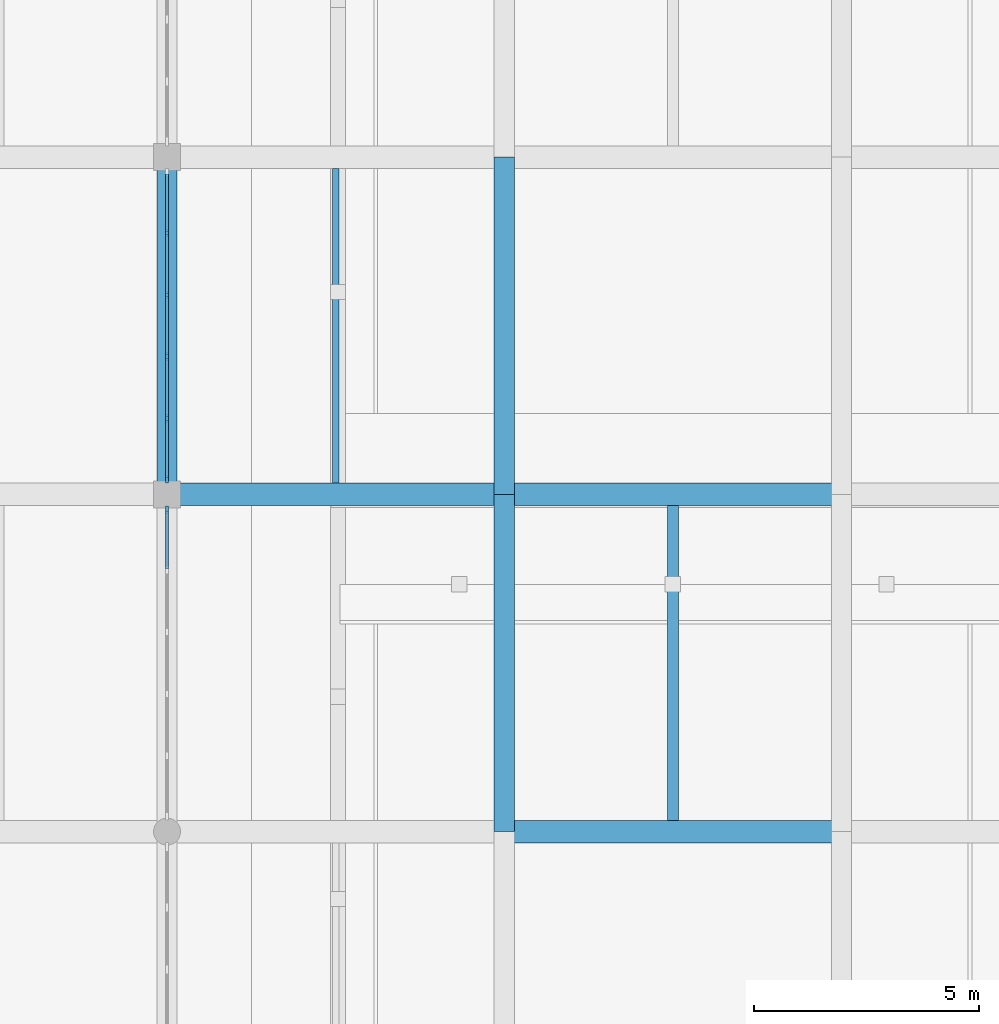
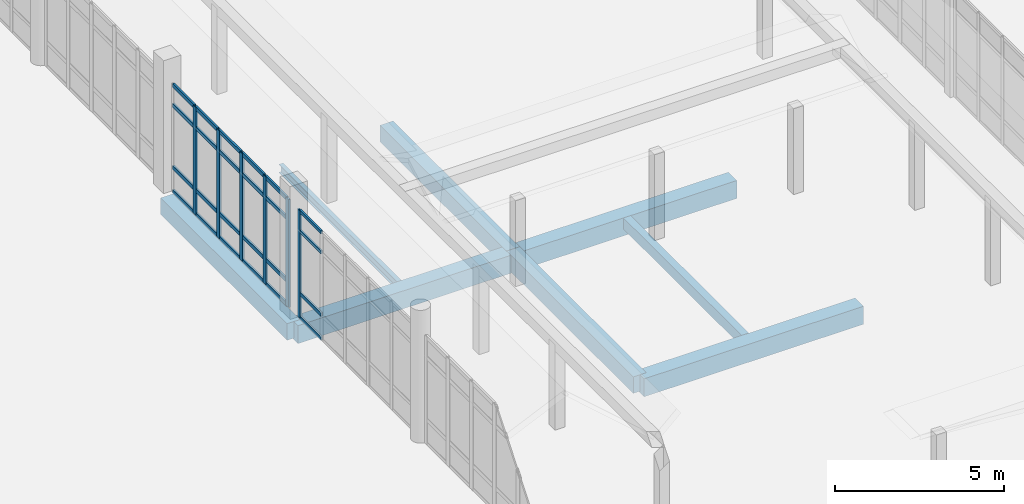
# One storey, part 38 of 125: 30 members, 8 beams, 2 elements without a shape of their own.
"""IFC4 building model written with IfcOpenShell, lengths in metres."""

from ifc_helpers import new_model, si_unit, direction, frame, origin, origin_2d, place, context, subcontext, project, spatial, rectangle, i_section, extrude, material, layer, layer_set, material_profile, profile_set, type_object, element, aggregate, save


model = new_model("IFC4")

# Units and contexts
model_context = context("Model", 3, precision=1e-05, world=origin(), true_north=direction((0.0, 1.0)))
body_context = subcontext(model_context, "Body", "Model", "MODEL_VIEW")
ifc_project = project(units=[si_unit("LENGTHUNIT", "METRE"), si_unit("AREAUNIT", "SQUARE_METRE"), si_unit("VOLUMEUNIT", "CUBIC_METRE"), si_unit("PLANEANGLEUNIT", "RADIAN"), si_unit("MASSUNIT", "GRAM", prefix="KILO")], contexts=[model_context])

# Site, building, storey
site_placement = place(None, origin())
site = spatial("IfcSite", under=ifc_project, at=site_placement, CompositionType="ELEMENT")
building_placement = place(site_placement, origin())
building = spatial("IfcBuilding", under=site, at=building_placement, Name="Dalvernix Boulevard General Hospital", CompositionType="ELEMENT")
storey_placement = place(building_placement, origin())
storey = spatial("IfcBuildingStorey", under=building, at=storey_placement, Name="L00", CompositionType="ELEMENT", Elevation=0.0)

# Beams
ifc_material_1 = material(Name="Concrete C35/45", Category="concrete")
ifc_material_profile_1 = material_profile(ifc_material_1, rectangle(XDim=0.5, YDim=0.64990234375, at=origin_2d()), Name="RCB 500x650")
ifc_profile_set_1 = profile_set([ifc_material_profile_1], Name="Concrete C35/45")
beam_type_1 = type_object("IfcBeamType", Name="BM-B-02-I", PredefinedType="BEAM", material=ifc_profile_set_1)
for number, where, z_axis, x_axis, name in (
    (1, (120.0, 46.5, -0.68505859375), (1.0, 0.0, 0.0), (0.0, 1.0, 0.0), "L00 E-W girder G:17-18"),
    (2, (112.5, 54.0, -0.68505859375), (1.0, 0.0, 0.0), (0.0, 1.0, 0.0), "L00 E-W girder H:16-17"),
    (3, (120.0, 54.0, -0.68505859375), (1.0, 0.0, 0.0), (0.0, 1.0, 0.0), "L00 E-W girder H:17-18"),
):
    element("IfcBeam", number, at=place(storey_placement, frame(where, z_axis=z_axis, x_axis=x_axis)), inside=storey, type_object=beam_type_1, Name=name, PredefinedType="BEAM", context=body_context, shape_type="SweptSolid", body=[
        extrude(rectangle(XDim=0.5, YDim=0.64990234375, at=origin_2d()), origin(), (0.0, 0.0, 1.0), 7.5),
    ])
ifc_material_profile_2 = material_profile(ifc_material_1, rectangle(XDim=0.449951171875, YDim=0.60009765625, at=origin_2d()), Name="RCB 450x600")
ifc_profile_set_2 = profile_set([ifc_material_profile_2], Name="Concrete C35/45")
beam_type_2 = type_object("IfcBeamType", Name="BM-B-04-I", PredefinedType="BEAM", material=ifc_profile_set_2)
for number, where, z_axis, x_axis, name in (
    (4, (112.5, 54.0, -0.659912109375), (0.0, 1.0, 0.0), (-1.0, 0.0, 0.0), "L00 N-S girder 16:H-J"),
    (5, (120.0, 46.5, -0.659912109375), (0.0, 1.0, 0.0), (-1.0, 0.0, 0.0), "L00 N-S girder 17:G-H"),
    (6, (120.0, 54.0, -0.659912109375), (0.0, 1.0, 0.0), (-1.0, 0.0, 0.0), "L00 N-S girder 17:H-J"),
):
    element("IfcBeam", number, at=place(storey_placement, frame(where, z_axis=z_axis, x_axis=x_axis)), inside=storey, type_object=beam_type_2, Name=name, PredefinedType="BEAM", context=body_context, shape_type="SweptSolid", body=[
        extrude(rectangle(XDim=0.449951171875, YDim=0.60009765625, at=origin_2d()), origin(), (0.0, 0.0, 1.0), 7.5),
    ])
ifc_material_profile_3 = material_profile(ifc_material_1, rectangle(XDim=0.25, YDim=0.39990234375, at=origin_2d()), Name="RCB 250x400")
ifc_profile_set_3 = profile_set([ifc_material_profile_3], Name="Concrete C35/45")
beam_type_3 = type_object("IfcBeamType", Name="BM-JB-02", PredefinedType="JOIST", material=ifc_profile_set_3)
beam_1_placement = place(storey_placement, frame((123.75, 46.75, -0.56005859375), z_axis=(0.0, 1.0, 0.0), x_axis=(-1.0, 0.0, 0.0)))
element("IfcBeam", 7, at=beam_1_placement, inside=storey, type_object=beam_type_3, Name="L00 secondary floor beam 17-G", PredefinedType="JOIST", context=body_context, shape_type="SweptSolid", body=[
    extrude(rectangle(XDim=0.25, YDim=0.39990234375, at=origin_2d()), origin(), (0.0, 0.0, 1.0), 7.0),
])
ifc_material_2 = material(Name="Steel S355", Category="steel")
ifc_material_profile_4 = material_profile(ifc_material_2, i_section(OverallWidth=0.14990234375, OverallDepth=0.300048828125, WebThickness=0.007080078125, FlangeThickness=0.0107421875, FilletRadius=0.014892578125, at=origin_2d()), Name="IPE 300")
ifc_profile_set_4 = profile_set([ifc_material_profile_4], Name="Steel S355")
beam_type_4 = type_object("IfcBeamType", Name="BM-JB-03", PredefinedType="JOIST", material=ifc_profile_set_4)
beam_2_placement = place(storey_placement, frame((116.25, 54.25, -0.510009765625), z_axis=(0.0, 1.0, 0.0), x_axis=(-1.0, 0.0, 0.0)))
element("IfcBeam", 8, at=beam_2_placement, inside=storey, type_object=beam_type_4, Name="L00 secondary floor beam 16-H", PredefinedType="JOIST", context=body_context, shape_type="SweptSolid", body=[
    extrude(i_section(OverallWidth=0.14990234375, OverallDepth=0.300048828125, WebThickness=0.007080078125, FlangeThickness=0.0107421875, FilletRadius=0.014892578125, at=origin_2d()), origin(), (0.0, 0.0, 1.0), 7.0),
])

# Curtain wall, member
ifc_material_3 = material(Name="Thermally broken aluminium and solar-control glass curtain wall", Category="aluminium")
ifc_layer_1 = layer(ifc_material_3, 0.159912109375)
ifc_layer_set_1 = layer_set([ifc_layer_1], Name="Thermally broken aluminium and solar-control glass curtain wall (CW-CW-A-69x39)")
curtain_wall_type_1 = type_object("IfcCurtainWallType", Name="CW-CW-A-69x39", PredefinedType="USERDEFINED", material=ifc_layer_set_1)
curtain_wall_1_placement = place(storey_placement, origin())
curtain_wall_1 = element("IfcCurtainWall", 9, at=curtain_wall_1_placement, inside=storey, type_object=curtain_wall_type_1, Name="L00 curtain wall CW-A-69x39 15-6", ObjectType="GLAZED FACADE", PredefinedType="USERDEFINED")
ifc_material_4 = material(Name="Aluminium EN AW-6060", Category="aluminium")
ifc_material_profile_5 = material_profile(ifc_material_4, rectangle(XDim=0.06005859375, YDim=0.159912109375, at=origin_2d()), Name="ALU MULL 60x160")
ifc_profile_set_5 = profile_set([ifc_material_profile_5], Name="Aluminium EN AW-6060")
member_type_1 = type_object("IfcMemberType", Name="MEM-CW-M1", PredefinedType="MULLION", material=ifc_profile_set_5)
member_1_placement = place(storey_placement, frame((112.5, 53.659912109375, 0.0), z_axis=(0.0, 0.0, 1.0), x_axis=(1.0, 0.0, 0.0)))
member_1 = element("IfcMember", 10, at=member_1_placement, type_object=member_type_1, Name="CW-A-69x39 mullion 1", PredefinedType="MULLION", context=body_context, shape_type="SweptSolid", body=[
    extrude(rectangle(XDim=0.06005859375, YDim=0.159912109375, at=origin_2d()), origin(), (0.0, 0.0, 1.0), 3.89990234375),
])

# Curtain wall, members
ifc_layer_2 = layer(ifc_material_3, 0.179931640625)
ifc_layer_set_2 = layer_set([ifc_layer_2], Name="Thermally broken aluminium and solar-control glass curtain wall (CW-CW-B-69x39)")
curtain_wall_type_2 = type_object("IfcCurtainWallType", Name="CW-CW-B-69x39", PredefinedType="USERDEFINED", material=ifc_layer_set_2)
curtain_wall_2_placement = place(storey_placement, origin())
curtain_wall_2 = element("IfcCurtainWall", 11, at=curtain_wall_2_placement, inside=storey, type_object=curtain_wall_type_2, Name="L00 curtain wall CW-B-69x39 15-7", ObjectType="GLAZED FACADE", PredefinedType="USERDEFINED")
ifc_material_profile_6 = material_profile(ifc_material_4, rectangle(XDim=0.06494140625, YDim=0.179931640625, at=origin_2d()), Name="ALU MULL 65x180")
ifc_profile_set_6 = profile_set([ifc_material_profile_6], Name="Aluminium EN AW-6060")
member_type_2 = type_object("IfcMemberType", Name="MEM-CW-M2", PredefinedType="MULLION", material=ifc_profile_set_6)
member_2_placement = place(storey_placement, frame((112.5, 59.81396484375, 0.0), z_axis=(0.0, 0.0, 1.0), x_axis=(1.0, 0.0, 0.0)))
member_2 = element("IfcMember", 12, at=member_2_placement, type_object=member_type_2, Name="CW-B-69x39 mullion 2", PredefinedType="MULLION", context=body_context, shape_type="SweptSolid", body=[
    extrude(rectangle(XDim=0.06494140625, YDim=0.179931640625, at=origin_2d()), origin(), (0.0, 0.0, 1.0), 3.89990234375),
])
member_3_placement = place(storey_placement, frame((112.5, 58.43798828125, 0.0), z_axis=(0.0, 0.0, 1.0), x_axis=(1.0, 0.0, 0.0)))
member_3 = element("IfcMember", 13, at=member_3_placement, type_object=member_type_2, Name="CW-B-69x39 mullion 3", PredefinedType="MULLION", context=body_context, shape_type="SweptSolid", body=[
    extrude(rectangle(XDim=0.06494140625, YDim=0.179931640625, at=origin_2d()), origin(), (0.0, 0.0, 1.0), 3.89990234375),
])
member_4_placement = place(storey_placement, frame((112.5, 57.06201171875, 0.0), z_axis=(0.0, 0.0, 1.0), x_axis=(1.0, 0.0, 0.0)))
member_4 = element("IfcMember", 14, at=member_4_placement, type_object=member_type_2, Name="CW-B-69x39 mullion 4", PredefinedType="MULLION", context=body_context, shape_type="SweptSolid", body=[
    extrude(rectangle(XDim=0.06494140625, YDim=0.179931640625, at=origin_2d()), origin(), (0.0, 0.0, 1.0), 3.89990234375),
])
member_5_placement = place(storey_placement, frame((112.5, 55.68603515625, 0.0), z_axis=(0.0, 0.0, 1.0), x_axis=(1.0, 0.0, 0.0)))
member_5 = element("IfcMember", 15, at=member_5_placement, type_object=member_type_2, Name="CW-B-69x39 mullion 5", PredefinedType="MULLION", context=body_context, shape_type="SweptSolid", body=[
    extrude(rectangle(XDim=0.06494140625, YDim=0.179931640625, at=origin_2d()), origin(), (0.0, 0.0, 1.0), 3.89990234375),
])
member_6_placement = place(storey_placement, frame((112.5, 54.342529296875, 0.0), z_axis=(0.0, 0.0, 1.0), x_axis=(1.0, 0.0, 0.0)))
member_6 = element("IfcMember", 16, at=member_6_placement, type_object=member_type_2, Name="CW-B-69x39 mullion 6", PredefinedType="MULLION", context=body_context, shape_type="SweptSolid", body=[
    extrude(rectangle(XDim=0.06494140625, YDim=0.179931640625, at=origin_2d()), origin(), (0.0, 0.0, 1.0), 3.89990234375),
])

# Member
ifc_material_profile_7 = material_profile(ifc_material_4, rectangle(XDim=0.06005859375, YDim=0.1201171875, at=origin_2d()), Name="ALU TRAN 60x120")
ifc_profile_set_7 = profile_set([ifc_material_profile_7], Name="Aluminium EN AW-6060")
member_type_3 = type_object("IfcMemberType", Name="MEM-CW-T1", PredefinedType="USERDEFINED", material=ifc_profile_set_7)
member_7_placement = place(storey_placement, frame((112.5, 53.6298828125, 0.030029296875), z_axis=(0.0, -1.0, 0.0), x_axis=(1.0, 0.0, 0.0)))
member_7 = element("IfcMember", 17, at=member_7_placement, type_object=member_type_3, Name="CW-A-69x39 transom 1.1", ObjectType="TRANSOM", PredefinedType="USERDEFINED", context=body_context, shape_type="SweptSolid", body=[
    extrude(rectangle(XDim=0.06005859375, YDim=0.1201171875, at=origin_2d()), origin(), (0.0, 0.0, 1.0), 1.285888671875),
])

member_8_placement = place(storey_placement, frame((112.5, 53.6298828125, 0.89990234375), z_axis=(0.0, -1.0, 0.0), x_axis=(1.0, 0.0, 0.0)))
member_8 = element("IfcMember", 18, at=member_8_placement, type_object=member_type_3, Name="CW-A-69x39 transom 1.2", ObjectType="TRANSOM", PredefinedType="USERDEFINED", context=body_context, shape_type="SweptSolid", body=[
    extrude(rectangle(XDim=0.06005859375, YDim=0.1201171875, at=origin_2d()), origin(), (0.0, 0.0, 1.0), 1.285888671875),
])

member_9_placement = place(storey_placement, frame((112.5, 53.6298828125, 3.14990234375), z_axis=(0.0, -1.0, 0.0), x_axis=(1.0, 0.0, 0.0)))
member_9 = element("IfcMember", 19, at=member_9_placement, type_object=member_type_3, Name="CW-A-69x39 transom 1.3", ObjectType="TRANSOM", PredefinedType="USERDEFINED", context=body_context, shape_type="SweptSolid", body=[
    extrude(rectangle(XDim=0.06005859375, YDim=0.1201171875, at=origin_2d()), origin(), (0.0, 0.0, 1.0), 1.285888671875),
])

member_10_placement = place(storey_placement, frame((112.5, 53.6298828125, 3.8701171875), z_axis=(0.0, -1.0, 0.0), x_axis=(1.0, 0.0, 0.0)))
member_10 = element("IfcMember", 20, at=member_10_placement, type_object=member_type_3, Name="CW-A-69x39 transom 1.4", ObjectType="TRANSOM", PredefinedType="USERDEFINED", context=body_context, shape_type="SweptSolid", body=[
    extrude(rectangle(XDim=0.06005859375, YDim=0.1201171875, at=origin_2d()), origin(), (0.0, 0.0, 1.0), 1.285888671875),
])

aggregate(curtain_wall_1, [member_1, member_7, member_8, member_9, member_10])

ifc_material_profile_8 = material_profile(ifc_material_4, rectangle(XDim=0.06494140625, YDim=0.139892578125, at=origin_2d()), Name="ALU TRAN 65x140")
ifc_profile_set_8 = profile_set([ifc_material_profile_8], Name="Aluminium EN AW-6060")
member_type_4 = type_object("IfcMemberType", Name="MEM-CW-T2", PredefinedType="USERDEFINED", material=ifc_profile_set_8)
member_11_placement = place(storey_placement, frame((112.5, 61.125, 0.032470703125), z_axis=(0.0, -1.0, 0.0), x_axis=(1.0, 0.0, 0.0)))
member_11 = element("IfcMember", 21, at=member_11_placement, type_object=member_type_4, Name="CW-B-69x39 transom 1.1", ObjectType="TRANSOM", PredefinedType="USERDEFINED", context=body_context, shape_type="SweptSolid", body=[
    extrude(rectangle(XDim=0.06494140625, YDim=0.139892578125, at=origin_2d()), origin(), (0.0, 0.0, 1.0), 1.278564453125),
])

member_12_placement = place(storey_placement, frame((112.5, 61.125, 0.89990234375), z_axis=(0.0, -1.0, 0.0), x_axis=(1.0, 0.0, 0.0)))
member_12 = element("IfcMember", 22, at=member_12_placement, type_object=member_type_4, Name="CW-B-69x39 transom 1.2", ObjectType="TRANSOM", PredefinedType="USERDEFINED", context=body_context, shape_type="SweptSolid", body=[
    extrude(rectangle(XDim=0.06494140625, YDim=0.139892578125, at=origin_2d()), origin(), (0.0, 0.0, 1.0), 1.278564453125),
])

member_13_placement = place(storey_placement, frame((112.5, 61.125, 3.14990234375), z_axis=(0.0, -1.0, 0.0), x_axis=(1.0, 0.0, 0.0)))
member_13 = element("IfcMember", 23, at=member_13_placement, type_object=member_type_4, Name="CW-B-69x39 transom 1.3", ObjectType="TRANSOM", PredefinedType="USERDEFINED", context=body_context, shape_type="SweptSolid", body=[
    extrude(rectangle(XDim=0.06494140625, YDim=0.139892578125, at=origin_2d()), origin(), (0.0, 0.0, 1.0), 1.278564453125),
])

member_14_placement = place(storey_placement, frame((112.5, 61.125, 3.867431640625), z_axis=(0.0, -1.0, 0.0), x_axis=(1.0, 0.0, 0.0)))
member_14 = element("IfcMember", 24, at=member_14_placement, type_object=member_type_4, Name="CW-B-69x39 transom 1.4", ObjectType="TRANSOM", PredefinedType="USERDEFINED", context=body_context, shape_type="SweptSolid", body=[
    extrude(rectangle(XDim=0.06494140625, YDim=0.139892578125, at=origin_2d()), origin(), (0.0, 0.0, 1.0), 1.278564453125),
])

member_15_placement = place(storey_placement, frame((112.5, 59.781494140625, 0.032470703125), z_axis=(0.0, -1.0, 0.0), x_axis=(1.0, 0.0, 0.0)))
member_15 = element("IfcMember", 25, at=member_15_placement, type_object=member_type_4, Name="CW-B-69x39 transom 2.1", ObjectType="TRANSOM", PredefinedType="USERDEFINED", context=body_context, shape_type="SweptSolid", body=[
    extrude(rectangle(XDim=0.06494140625, YDim=0.139892578125, at=origin_2d()), origin(), (0.0, 0.0, 1.0), 1.31103515625),
])

member_16_placement = place(storey_placement, frame((112.5, 59.781494140625, 0.89990234375), z_axis=(0.0, -1.0, 0.0), x_axis=(1.0, 0.0, 0.0)))
member_16 = element("IfcMember", 26, at=member_16_placement, type_object=member_type_4, Name="CW-B-69x39 transom 2.2", ObjectType="TRANSOM", PredefinedType="USERDEFINED", context=body_context, shape_type="SweptSolid", body=[
    extrude(rectangle(XDim=0.06494140625, YDim=0.139892578125, at=origin_2d()), origin(), (0.0, 0.0, 1.0), 1.31103515625),
])

member_17_placement = place(storey_placement, frame((112.5, 59.781494140625, 3.14990234375), z_axis=(0.0, -1.0, 0.0), x_axis=(1.0, 0.0, 0.0)))
member_17 = element("IfcMember", 27, at=member_17_placement, type_object=member_type_4, Name="CW-B-69x39 transom 2.3", ObjectType="TRANSOM", PredefinedType="USERDEFINED", context=body_context, shape_type="SweptSolid", body=[
    extrude(rectangle(XDim=0.06494140625, YDim=0.139892578125, at=origin_2d()), origin(), (0.0, 0.0, 1.0), 1.31103515625),
])

member_18_placement = place(storey_placement, frame((112.5, 59.781494140625, 3.867431640625), z_axis=(0.0, -1.0, 0.0), x_axis=(1.0, 0.0, 0.0)))
member_18 = element("IfcMember", 28, at=member_18_placement, type_object=member_type_4, Name="CW-B-69x39 transom 2.4", ObjectType="TRANSOM", PredefinedType="USERDEFINED", context=body_context, shape_type="SweptSolid", body=[
    extrude(rectangle(XDim=0.06494140625, YDim=0.139892578125, at=origin_2d()), origin(), (0.0, 0.0, 1.0), 1.31103515625),
])

member_19_placement = place(storey_placement, frame((112.5, 58.405517578125, 0.032470703125), z_axis=(0.0, -1.0, 0.0), x_axis=(1.0, 0.0, 0.0)))
member_19 = element("IfcMember", 29, at=member_19_placement, type_object=member_type_4, Name="CW-B-69x39 transom 3.1", ObjectType="TRANSOM", PredefinedType="USERDEFINED", context=body_context, shape_type="SweptSolid", body=[
    extrude(rectangle(XDim=0.06494140625, YDim=0.139892578125, at=origin_2d()), origin(), (0.0, 0.0, 1.0), 1.31103515625),
])

member_20_placement = place(storey_placement, frame((112.5, 58.405517578125, 0.89990234375), z_axis=(0.0, -1.0, 0.0), x_axis=(1.0, 0.0, 0.0)))
member_20 = element("IfcMember", 30, at=member_20_placement, type_object=member_type_4, Name="CW-B-69x39 transom 3.2", ObjectType="TRANSOM", PredefinedType="USERDEFINED", context=body_context, shape_type="SweptSolid", body=[
    extrude(rectangle(XDim=0.06494140625, YDim=0.139892578125, at=origin_2d()), origin(), (0.0, 0.0, 1.0), 1.31103515625),
])

member_21_placement = place(storey_placement, frame((112.5, 58.405517578125, 3.14990234375), z_axis=(0.0, -1.0, 0.0), x_axis=(1.0, 0.0, 0.0)))
member_21 = element("IfcMember", 31, at=member_21_placement, type_object=member_type_4, Name="CW-B-69x39 transom 3.3", ObjectType="TRANSOM", PredefinedType="USERDEFINED", context=body_context, shape_type="SweptSolid", body=[
    extrude(rectangle(XDim=0.06494140625, YDim=0.139892578125, at=origin_2d()), origin(), (0.0, 0.0, 1.0), 1.31103515625),
])

member_22_placement = place(storey_placement, frame((112.5, 58.405517578125, 3.867431640625), z_axis=(0.0, -1.0, 0.0), x_axis=(1.0, 0.0, 0.0)))
member_22 = element("IfcMember", 32, at=member_22_placement, type_object=member_type_4, Name="CW-B-69x39 transom 3.4", ObjectType="TRANSOM", PredefinedType="USERDEFINED", context=body_context, shape_type="SweptSolid", body=[
    extrude(rectangle(XDim=0.06494140625, YDim=0.139892578125, at=origin_2d()), origin(), (0.0, 0.0, 1.0), 1.31103515625),
])

member_23_placement = place(storey_placement, frame((112.5, 57.029541015625, 0.032470703125), z_axis=(0.0, -1.0, 0.0), x_axis=(1.0, 0.0, 0.0)))
member_23 = element("IfcMember", 33, at=member_23_placement, type_object=member_type_4, Name="CW-B-69x39 transom 4.1", ObjectType="TRANSOM", PredefinedType="USERDEFINED", context=body_context, shape_type="SweptSolid", body=[
    extrude(rectangle(XDim=0.06494140625, YDim=0.139892578125, at=origin_2d()), origin(), (0.0, 0.0, 1.0), 1.31103515625),
])

member_24_placement = place(storey_placement, frame((112.5, 57.029541015625, 0.89990234375), z_axis=(0.0, -1.0, 0.0), x_axis=(1.0, 0.0, 0.0)))
member_24 = element("IfcMember", 34, at=member_24_placement, type_object=member_type_4, Name="CW-B-69x39 transom 4.2", ObjectType="TRANSOM", PredefinedType="USERDEFINED", context=body_context, shape_type="SweptSolid", body=[
    extrude(rectangle(XDim=0.06494140625, YDim=0.139892578125, at=origin_2d()), origin(), (0.0, 0.0, 1.0), 1.31103515625),
])

member_25_placement = place(storey_placement, frame((112.5, 57.029541015625, 3.14990234375), z_axis=(0.0, -1.0, 0.0), x_axis=(1.0, 0.0, 0.0)))
member_25 = element("IfcMember", 35, at=member_25_placement, type_object=member_type_4, Name="CW-B-69x39 transom 4.3", ObjectType="TRANSOM", PredefinedType="USERDEFINED", context=body_context, shape_type="SweptSolid", body=[
    extrude(rectangle(XDim=0.06494140625, YDim=0.139892578125, at=origin_2d()), origin(), (0.0, 0.0, 1.0), 1.31103515625),
])

member_26_placement = place(storey_placement, frame((112.5, 57.029541015625, 3.867431640625), z_axis=(0.0, -1.0, 0.0), x_axis=(1.0, 0.0, 0.0)))
member_26 = element("IfcMember", 36, at=member_26_placement, type_object=member_type_4, Name="CW-B-69x39 transom 4.4", ObjectType="TRANSOM", PredefinedType="USERDEFINED", context=body_context, shape_type="SweptSolid", body=[
    extrude(rectangle(XDim=0.06494140625, YDim=0.139892578125, at=origin_2d()), origin(), (0.0, 0.0, 1.0), 1.31103515625),
])

member_27_placement = place(storey_placement, frame((112.5, 55.653564453125, 0.032470703125), z_axis=(0.0, -1.0, 0.0), x_axis=(1.0, 0.0, 0.0)))
member_27 = element("IfcMember", 37, at=member_27_placement, type_object=member_type_4, Name="CW-B-69x39 transom 5.1", ObjectType="TRANSOM", PredefinedType="USERDEFINED", context=body_context, shape_type="SweptSolid", body=[
    extrude(rectangle(XDim=0.06494140625, YDim=0.139892578125, at=origin_2d()), origin(), (0.0, 0.0, 1.0), 1.278564453125),
])

member_28_placement = place(storey_placement, frame((112.5, 55.653564453125, 0.89990234375), z_axis=(0.0, -1.0, 0.0), x_axis=(1.0, 0.0, 0.0)))
member_28 = element("IfcMember", 38, at=member_28_placement, type_object=member_type_4, Name="CW-B-69x39 transom 5.2", ObjectType="TRANSOM", PredefinedType="USERDEFINED", context=body_context, shape_type="SweptSolid", body=[
    extrude(rectangle(XDim=0.06494140625, YDim=0.139892578125, at=origin_2d()), origin(), (0.0, 0.0, 1.0), 1.278564453125),
])

member_29_placement = place(storey_placement, frame((112.5, 55.653564453125, 3.14990234375), z_axis=(0.0, -1.0, 0.0), x_axis=(1.0, 0.0, 0.0)))
member_29 = element("IfcMember", 39, at=member_29_placement, type_object=member_type_4, Name="CW-B-69x39 transom 5.3", ObjectType="TRANSOM", PredefinedType="USERDEFINED", context=body_context, shape_type="SweptSolid", body=[
    extrude(rectangle(XDim=0.06494140625, YDim=0.139892578125, at=origin_2d()), origin(), (0.0, 0.0, 1.0), 1.278564453125),
])

member_30_placement = place(storey_placement, frame((112.5, 55.653564453125, 3.867431640625), z_axis=(0.0, -1.0, 0.0), x_axis=(1.0, 0.0, 0.0)))
member_30 = element("IfcMember", 40, at=member_30_placement, type_object=member_type_4, Name="CW-B-69x39 transom 5.4", ObjectType="TRANSOM", PredefinedType="USERDEFINED", context=body_context, shape_type="SweptSolid", body=[
    extrude(rectangle(XDim=0.06494140625, YDim=0.139892578125, at=origin_2d()), origin(), (0.0, 0.0, 1.0), 1.278564453125),
])

aggregate(curtain_wall_2, [member_2, member_3, member_4, member_5, member_6, member_11, member_12, member_13, member_14, member_15, member_16, member_17, member_18, member_19, member_20, member_21, member_22, member_23, member_24, member_25, member_26, member_27, member_28, member_29, member_30])

save(model, "model.ifc")
